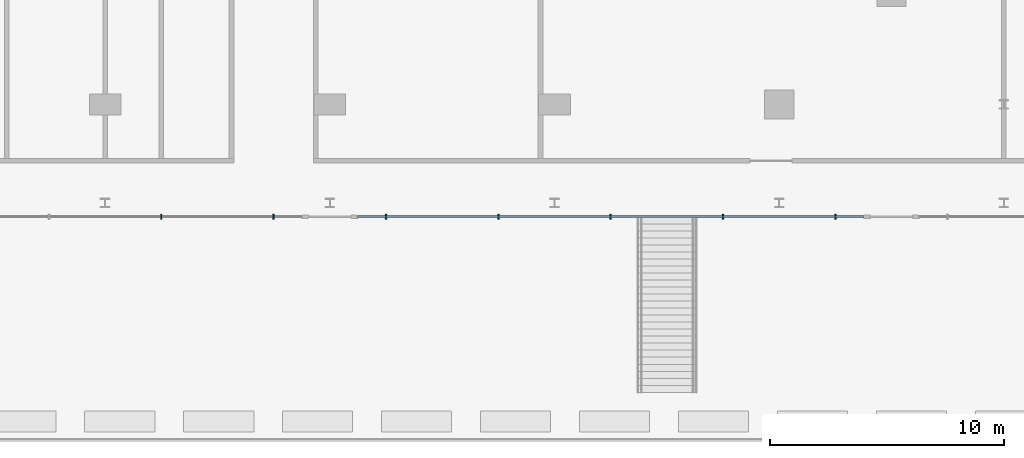
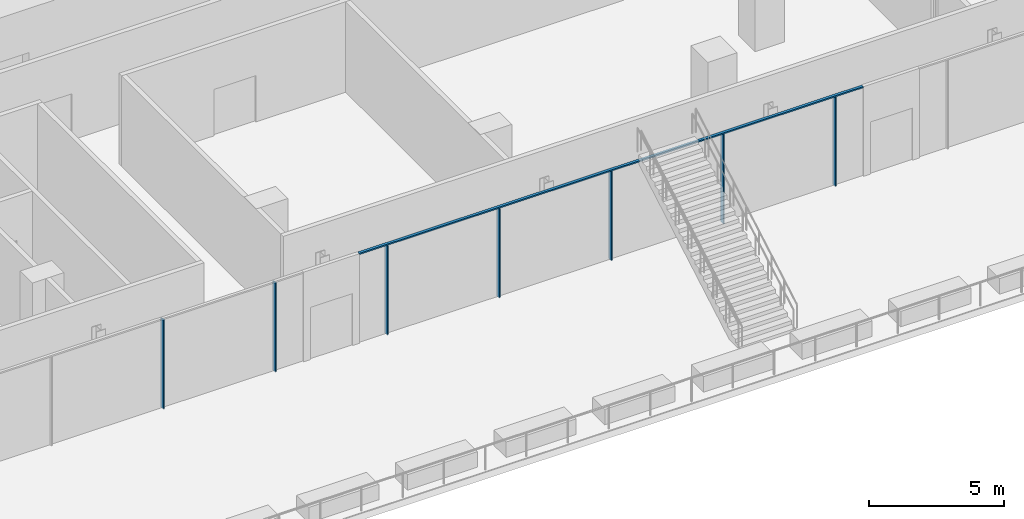
# One storey, part 8 of 32: 8 members, 1 element without a shape of its own.
"""IFC4 building model written with IfcOpenShell, lengths in metres."""

from ifc_helpers import new_model, si_unit, direction, frame, origin, origin_2d, place, context, subcontext, project, spatial, rectangle, extrude, material, layer, layer_set, material_profile, profile_set, type_object, element, aggregate, save


model = new_model("IFC4")

# Units and contexts
model_context = context("Model", 3, precision=1e-05, world=origin(), true_north=direction((0.0, 1.0)))
body_context = subcontext(model_context, "Body", "Model", "MODEL_VIEW")
ifc_project = project(units=[si_unit("LENGTHUNIT", "METRE"), si_unit("AREAUNIT", "SQUARE_METRE"), si_unit("VOLUMEUNIT", "CUBIC_METRE"), si_unit("PLANEANGLEUNIT", "RADIAN"), si_unit("MASSUNIT", "GRAM", prefix="KILO")], contexts=[model_context])

# Site, building, storey
site_placement = place(None, origin())
site = spatial("IfcSite", under=ifc_project, at=site_placement, CompositionType="ELEMENT")
building_placement = place(site_placement, origin())
building = spatial("IfcBuilding", under=site, at=building_placement, Name="Madar Terraces", CompositionType="ELEMENT")
storey_placement = place(building_placement, frame((0.0, 0.0, 19.5)))
storey = spatial("IfcBuildingStorey", under=building, at=storey_placement, Name="L04", CompositionType="ELEMENT", Elevation=19.5)

# Curtain wall, members
ifc_material_1 = material(Name="Glass, clear low-iron, with black aluminium frame", Category="aluminium")
ifc_layer = layer(ifc_material_1, 0.199951171875)
ifc_layer_set = layer_set([ifc_layer], Name="Facade curtain wall, shopfront glazing")
curtain_wall_type = type_object("IfcCurtainWallType", Name="Facade curtain wall, shopfront glazing", PredefinedType="NOTDEFINED", material=ifc_layer_set)
curtain_wall_placement = place(storey_placement, origin())
curtain_wall = element("IfcCurtainWall", 1, at=curtain_wall_placement, inside=storey, type_object=curtain_wall_type, Name="Outer skin curtain wall south bay 1", PredefinedType="NOTDEFINED")
ifc_material_2 = material(Name="Aluminium, black anodised", Category="aluminium")
ifc_material_profile_1 = material_profile(ifc_material_2, rectangle(XDim=0.199951171875, YDim=0.06005859375, at=origin_2d()), Name="Facade mullion 60x200")
ifc_profile_set_1 = profile_set([ifc_material_profile_1], Name="Aluminium, black anodised")
member_type_1 = type_object("IfcMemberType", Name="Facade mullion 60x200", PredefinedType="MULLION", material=ifc_profile_set_1)
member_1_placement = place(storey_placement, frame((26.39990234375, -4.800048828125, 0.0), z_axis=(0.0, 0.0, 1.0), x_axis=(0.0, 1.0, 0.0)))
member_1 = element("IfcMember", 2, at=member_1_placement, type_object=member_type_1, Name="Mullion 6", PredefinedType="MULLION", context=body_context, shape_type="SweptSolid", body=[
    extrude(rectangle(XDim=0.199951171875, YDim=0.06005859375, at=origin_2d()), origin(), (0.0, 0.0, 1.0), 4.0400390625),
])
member_2_placement = place(storey_placement, frame((31.199951171875, -4.800048828125, 0.0), z_axis=(0.0, 0.0, 1.0), x_axis=(0.0, 1.0, 0.0)))
member_2 = element("IfcMember", 3, at=member_2_placement, type_object=member_type_1, Name="Mullion 7", PredefinedType="MULLION", context=body_context, shape_type="SweptSolid", body=[
    extrude(rectangle(XDim=0.199951171875, YDim=0.06005859375, at=origin_2d()), origin(), (0.0, 0.0, 1.0), 4.0400390625),
])
member_3_placement = place(storey_placement, frame((36.0, -4.800048828125, 0.0), z_axis=(0.0, 0.0, 1.0), x_axis=(0.0, 1.0, 0.0)))
member_3 = element("IfcMember", 4, at=member_3_placement, type_object=member_type_1, Name="Mullion 8", PredefinedType="MULLION", context=body_context, shape_type="SweptSolid", body=[
    extrude(rectangle(XDim=0.199951171875, YDim=0.06005859375, at=origin_2d()), origin(), (0.0, 0.0, 1.0), 4.0400390625),
])
member_4_placement = place(storey_placement, frame((40.800048828125, -4.800048828125, 0.0), z_axis=(0.0, 0.0, 1.0), x_axis=(0.0, 1.0, 0.0)))
member_4 = element("IfcMember", 5, at=member_4_placement, type_object=member_type_1, Name="Mullion 9", PredefinedType="MULLION", context=body_context, shape_type="SweptSolid", body=[
    extrude(rectangle(XDim=0.199951171875, YDim=0.06005859375, at=origin_2d()), origin(), (0.0, 0.0, 1.0), 4.0400390625),
])
member_5_placement = place(storey_placement, frame((45.60009765625, -4.800048828125, 0.0), z_axis=(0.0, 0.0, 1.0), x_axis=(0.0, 1.0, 0.0)))
member_5 = element("IfcMember", 6, at=member_5_placement, type_object=member_type_1, Name="Mullion 10", PredefinedType="MULLION", context=body_context, shape_type="SweptSolid", body=[
    extrude(rectangle(XDim=0.199951171875, YDim=0.06005859375, at=origin_2d()), origin(), (0.0, 0.0, 1.0), 4.0400390625),
])
member_6_placement = place(storey_placement, frame((50.39990234375, -4.800048828125, 0.0), z_axis=(0.0, 0.0, 1.0), x_axis=(0.0, 1.0, 0.0)))
member_6 = element("IfcMember", 7, at=member_6_placement, type_object=member_type_1, Name="Mullion 11", PredefinedType="MULLION", context=body_context, shape_type="SweptSolid", body=[
    extrude(rectangle(XDim=0.199951171875, YDim=0.06005859375, at=origin_2d()), origin(), (0.0, 0.0, 1.0), 4.0400390625),
])
member_7_placement = place(storey_placement, frame((55.199951171875, -4.800048828125, 0.0), z_axis=(0.0, 0.0, 1.0), x_axis=(0.0, 1.0, 0.0)))
member_7 = element("IfcMember", 8, at=member_7_placement, type_object=member_type_1, Name="Mullion 12", PredefinedType="MULLION", context=body_context, shape_type="SweptSolid", body=[
    extrude(rectangle(XDim=0.199951171875, YDim=0.06005859375, at=origin_2d()), origin(), (0.0, 0.0, 1.0), 4.0400390625),
])
ifc_material_3 = material(Name="Aluminium, black anodised", Category="aluminium")
ifc_material_profile_2 = material_profile(ifc_material_3, rectangle(XDim=0.1201171875, YDim=0.06005859375, at=origin_2d()), Name="Facade transom 60x120")
ifc_profile_set_2 = profile_set([ifc_material_profile_2], Name="Aluminium, black anodised")
member_type_2 = type_object("IfcMemberType", Name="Facade transom 60x120", PredefinedType="USERDEFINED", material=ifc_profile_set_2)
member_8_placement = place(storey_placement, frame((34.800048828125, -4.800048828125, 4.070068359375), z_axis=(1.0, 0.0, 0.0), x_axis=(0.0, 1.0, 0.0)))
member_8 = element("IfcMember", 9, at=member_8_placement, type_object=member_type_2, Name="Transom 3", ObjectType="TRANSOM", PredefinedType="USERDEFINED", context=body_context, shape_type="SweptSolid", body=[
    extrude(rectangle(XDim=0.1201171875, YDim=0.06005859375, at=origin_2d()), origin(), (0.0, 0.0, 1.0), 21.599853515625),
])
aggregate(curtain_wall, [member_1, member_2, member_3, member_4, member_5, member_6, member_7, member_8])

save(model, "model.ifc")
